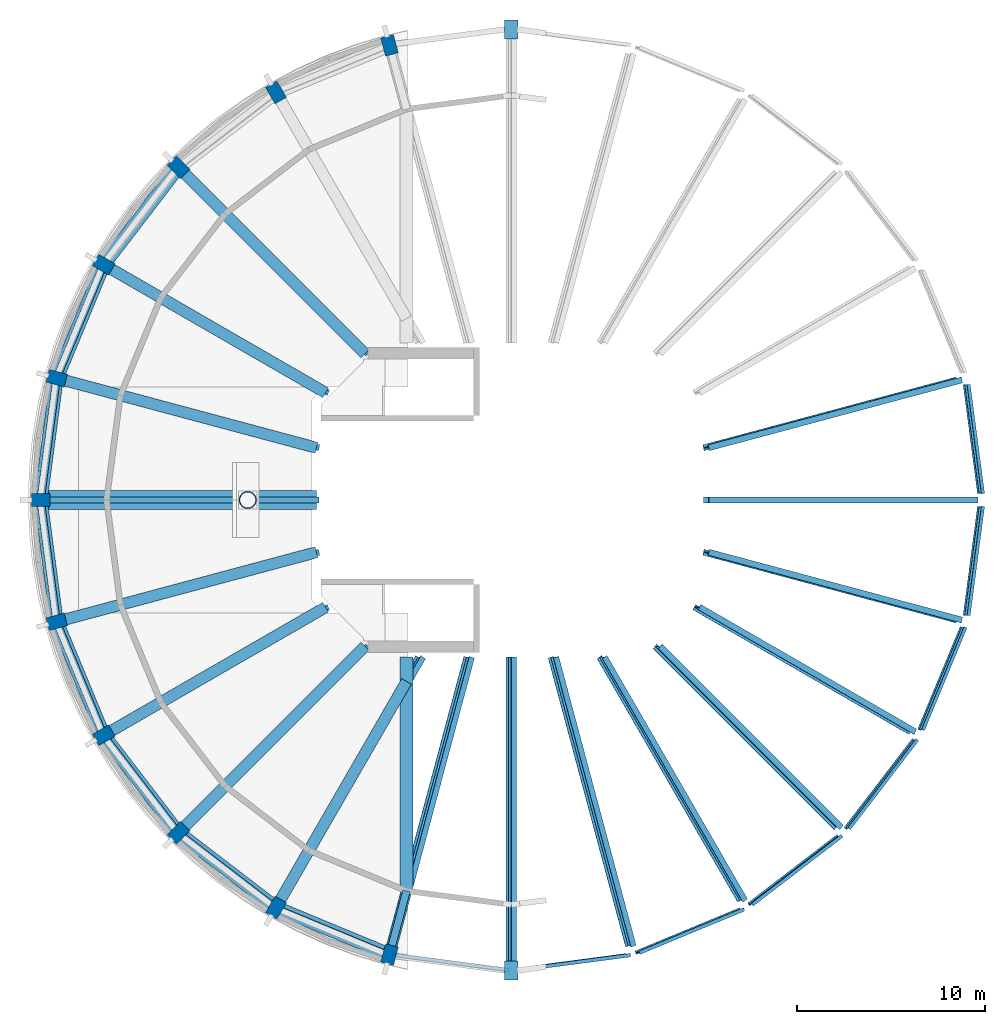
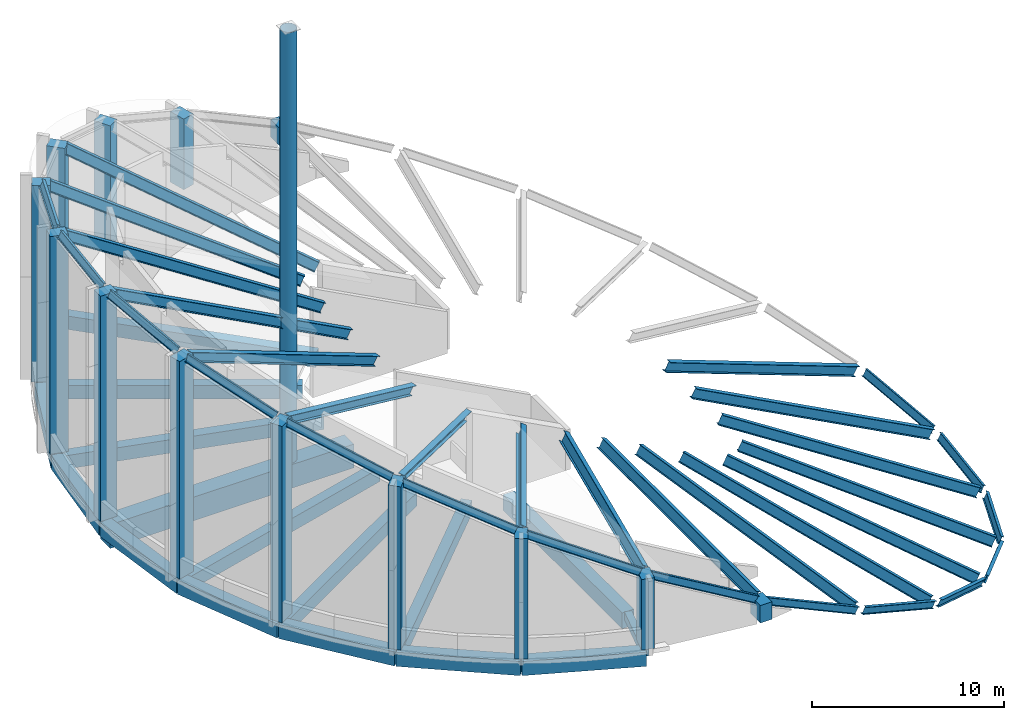
# One storey, part 1 of 4: 33 beams, 17 members, 14 columns.
"""IFC4 building model written with IfcOpenShell, lengths in metres."""

from ifc_helpers import new_model, si_unit, direction, frame, origin, origin_2d, place, context, subcontext, project, spatial, rectangle, hollow_circle, i_section, extrude, material, material_profile, profile_set, type_object, element, save


model = new_model("IFC4")

# Units and contexts
model_context = context("Model", 3, precision=1e-05, world=origin(), true_north=direction((0.0, 1.0)))
body_context = subcontext(model_context, "Body", "Model", "MODEL_VIEW")
ifc_project = project(units=[si_unit("LENGTHUNIT", "METRE"), si_unit("AREAUNIT", "SQUARE_METRE"), si_unit("VOLUMEUNIT", "CUBIC_METRE"), si_unit("PLANEANGLEUNIT", "RADIAN"), si_unit("MASSUNIT", "GRAM", prefix="KILO")], contexts=[model_context])

# Site, building, storey
site_placement = place(None, origin())
site = spatial("IfcSite", under=ifc_project, at=site_placement, CompositionType="ELEMENT")
building_placement = place(site_placement, origin())
building = spatial("IfcBuilding", under=site, at=building_placement, Name="Torre Triforio", CompositionType="ELEMENT")
storey_placement = place(building_placement, frame((0.0, 0.0, 302.800048828125)))
storey = spatial("IfcBuildingStorey", under=building, at=storey_placement, Name="RF-3", CompositionType="ELEMENT", Elevation=302.800048828125)

# Columns
ifc_material_1 = material(Name="Steel ASTM A572 Gr 50", Category="steel")
ifc_material_profile_1 = material_profile(ifc_material_1, hollow_circle(Radius=0.449951171875, WallThickness=0.02490234375, at=origin_2d()), Name="CHS 900x25")
ifc_profile_set_1 = profile_set([ifc_material_profile_1], Name="Steel ASTM A572 Gr 50")
column_type_1 = type_object("IfcColumnType", Name="Mast CHS 900x25", PredefinedType="COLUMN", material=ifc_profile_set_1)
column_1_placement = place(storey_placement, frame((-14.0, 0.0, -0.22998046875), z_axis=(0.0, 0.0, 1.0), x_axis=(1.0, 0.0, 0.0)))
element("IfcColumn", 1, at=column_1_placement, inside=storey, type_object=column_type_1, Name="MAST", PredefinedType="COLUMN", context=body_context, shape_type="SweptSolid", body=[
    extrude(hollow_circle(Radius=0.449951171875, WallThickness=0.02490234375, at=origin_2d()), origin(), (0.0, 0.0, 1.0), 27.39990234375),
])
ifc_material_2 = material(Name="Concrete C40", Category="concrete")
ifc_material_profile_2 = material_profile(ifc_material_2, rectangle(XDim=0.699951171875, YDim=1.0, at=origin_2d()), Name="RC 700x1000")
ifc_profile_set_2 = profile_set([ifc_material_profile_2], Name="Concrete C40")
column_type_2 = type_object("IfcColumnType", Name="Pier RC 700x1000 C40", PredefinedType="COLUMN", material=ifc_profile_set_2)
column_2_placement = place(storey_placement, frame((0.0, 25.0, 0.0), z_axis=(0.0, 0.0, 1.0), x_axis=(-1.0, 0.0, 0.0)))
element("IfcColumn", 2, at=column_2_placement, inside=storey, type_object=column_type_2, Name="COL.R.RF-3.06", PredefinedType="COLUMN", context=body_context, shape_type="SweptSolid", body=[
    extrude(rectangle(XDim=0.699951171875, YDim=1.0, at=origin_2d()), origin(), (0.0, 0.0, 1.0), 1.11376953125),
])
column_3_placement = place(storey_placement, frame((-6.470458984375, 24.148193359375, 0.0), z_axis=(0.0, 0.0, 1.0), x_axis=(-0.965925826289, -0.258819045103, 0.0)))
element("IfcColumn", 3, at=column_3_placement, inside=storey, type_object=column_type_2, Name="COL.R.RF-3.07", PredefinedType="COLUMN", context=body_context, shape_type="SweptSolid", body=[
    extrude(rectangle(XDim=0.699951171875, YDim=1.0, at=origin_2d()), origin(), (0.0, 0.0, 1.0), 4.491943359375),
])
column_4_placement = place(storey_placement, frame((-12.5, 21.650634765625, 0.0), z_axis=(0.0, 0.0, 1.0), x_axis=(-0.866025403784, -0.5, 0.0)))
element("IfcColumn", 4, at=column_4_placement, inside=storey, type_object=column_type_2, Name="COL.R.RF-3.08", PredefinedType="COLUMN", context=body_context, shape_type="SweptSolid", body=[
    extrude(rectangle(XDim=0.699951171875, YDim=1.0, at=origin_2d()), origin(), (0.0, 0.0, 1.0), 7.65234375),
])
column_5_placement = place(storey_placement, frame((-17.677734375, 17.677734375, 0.0), z_axis=(0.0, 0.0, 1.0), x_axis=(-0.707106781187, -0.707106781187, 0.0)))
element("IfcColumn", 5, at=column_5_placement, inside=storey, type_object=column_type_2, Name="COL.R.RF-3.09", PredefinedType="COLUMN", context=body_context, shape_type="SweptSolid", body=[
    extrude(rectangle(XDim=0.699951171875, YDim=1.0, at=origin_2d()), origin(), (0.0, 0.0, 1.0), 10.3798828125),
])
column_6_placement = place(storey_placement, frame((-21.650634765625, 12.5, 0.0), z_axis=(0.0, 0.0, 1.0), x_axis=(-0.5, -0.866025403784, 0.0)))
element("IfcColumn", 6, at=column_6_placement, inside=storey, type_object=column_type_2, Name="COL.R.RF-3.10", PredefinedType="COLUMN", context=body_context, shape_type="SweptSolid", body=[
    extrude(rectangle(XDim=0.699951171875, YDim=1.0, at=origin_2d()), origin(), (0.0, 0.0, 1.0), 12.488525390625),
])
column_7_placement = place(storey_placement, frame((-24.148193359375, 6.470458984375, 0.0), z_axis=(0.0, 0.0, 1.0), x_axis=(-0.258819045103, -0.965925826289, 0.0)))
element("IfcColumn", 7, at=column_7_placement, inside=storey, type_object=column_type_2, Name="COL.R.RF-3.11", PredefinedType="COLUMN", context=body_context, shape_type="SweptSolid", body=[
    extrude(rectangle(XDim=0.699951171875, YDim=1.0, at=origin_2d()), origin(), (0.0, 0.0, 1.0), 13.834716796875),
])
column_8_placement = place(storey_placement, frame((-25.0, 0.0, 0.0), z_axis=(0.0, 0.0, 1.0), x_axis=(0.0, -1.0, 0.0)))
element("IfcColumn", 8, at=column_8_placement, inside=storey, type_object=column_type_2, Name="COL.R.RF-3.12", PredefinedType="COLUMN", context=body_context, shape_type="SweptSolid", body=[
    extrude(rectangle(XDim=0.699951171875, YDim=1.0, at=origin_2d()), origin(), (0.0, 0.0, 1.0), 14.326904296875),
])
column_9_placement = place(storey_placement, frame((-24.148193359375, -6.470458984375, 0.0), z_axis=(0.0, 0.0, 1.0), x_axis=(0.258819045103, -0.965925826289, 0.0)))
element("IfcColumn", 9, at=column_9_placement, inside=storey, type_object=column_type_2, Name="COL.R.RF-3.13", PredefinedType="COLUMN", context=body_context, shape_type="SweptSolid", body=[
    extrude(rectangle(XDim=0.699951171875, YDim=1.0, at=origin_2d()), origin(), (0.0, 0.0, 1.0), 13.834716796875),
])
column_10_placement = place(storey_placement, frame((-21.650634765625, -12.5, 0.0), z_axis=(0.0, 0.0, 1.0), x_axis=(0.5, -0.866025403784, 0.0)))
element("IfcColumn", 10, at=column_10_placement, inside=storey, type_object=column_type_2, Name="COL.R.RF-3.14", PredefinedType="COLUMN", context=body_context, shape_type="SweptSolid", body=[
    extrude(rectangle(XDim=0.699951171875, YDim=1.0, at=origin_2d()), origin(), (0.0, 0.0, 1.0), 12.488525390625),
])
column_11_placement = place(storey_placement, frame((-17.677734375, -17.677734375, 0.0), z_axis=(0.0, 0.0, 1.0), x_axis=(0.707106781187, -0.707106781187, 0.0)))
element("IfcColumn", 11, at=column_11_placement, inside=storey, type_object=column_type_2, Name="COL.R.RF-3.15", PredefinedType="COLUMN", context=body_context, shape_type="SweptSolid", body=[
    extrude(rectangle(XDim=0.699951171875, YDim=1.0, at=origin_2d()), origin(), (0.0, 0.0, 1.0), 10.3798828125),
])
column_12_placement = place(storey_placement, frame((-12.5, -21.650634765625, 0.0), z_axis=(0.0, 0.0, 1.0), x_axis=(0.866025403784, -0.5, 0.0)))
element("IfcColumn", 12, at=column_12_placement, inside=storey, type_object=column_type_2, Name="COL.R.RF-3.16", PredefinedType="COLUMN", context=body_context, shape_type="SweptSolid", body=[
    extrude(rectangle(XDim=0.699951171875, YDim=1.0, at=origin_2d()), origin(), (0.0, 0.0, 1.0), 7.65234375),
])
column_13_placement = place(storey_placement, frame((-6.470458984375, -24.148193359375, 0.0), z_axis=(0.0, 0.0, 1.0), x_axis=(0.965925826289, -0.258819045103, 0.0)))
element("IfcColumn", 13, at=column_13_placement, inside=storey, type_object=column_type_2, Name="COL.R.RF-3.17", PredefinedType="COLUMN", context=body_context, shape_type="SweptSolid", body=[
    extrude(rectangle(XDim=0.699951171875, YDim=1.0, at=origin_2d()), origin(), (0.0, 0.0, 1.0), 4.491943359375),
])
column_14_placement = place(storey_placement, frame((0.0, -25.0, 0.0), z_axis=(0.0, 0.0, 1.0), x_axis=(1.0, 0.0, 0.0)))
element("IfcColumn", 14, at=column_14_placement, inside=storey, type_object=column_type_2, Name="COL.R.RF-3.18", PredefinedType="COLUMN", context=body_context, shape_type="SweptSolid", body=[
    extrude(rectangle(XDim=0.699951171875, YDim=1.0, at=origin_2d()), origin(), (0.0, 0.0, 1.0), 1.11376953125),
])

# Members
ifc_material_profile_3 = material_profile(ifc_material_1, i_section(OverallWidth=0.324951171875, OverallDepth=0.615966796875, WebThickness=0.013916015625, FlangeThickness=0.021484375, at=origin_2d()), Name="W 610x174")
ifc_profile_set_3 = profile_set([ifc_material_profile_3], Name="Steel ASTM A572 Gr 50")
member_type = type_object("IfcMemberType", Name="Crown rafter W 610x174", PredefinedType="RAFTER", material=ifc_profile_set_3)
member_1_placement = place(storey_placement, frame((10.35009765625, 0.0, -4.550048828125), z_axis=(0.882945012573, 0.0, -0.469476415566), x_axis=(0.0, 1.0, 0.0)))
element("IfcMember", 15, at=member_1_placement, inside=storey, type_object=member_type, Name="RF.00", PredefinedType="RAFTER", context=body_context, shape_type="SweptSolid", body=[
    extrude(i_section(OverallWidth=0.324951171875, OverallDepth=0.615966796875, WebThickness=0.013916015625, FlangeThickness=0.021484375, at=origin_2d()), origin(), (0.0, 0.0, 1.0), 16.189453125),
])
member_2_placement = place(storey_placement, frame((10.35009765625, 2.773193359375, -4.550048828125), z_axis=(0.859223480822, 0.230234648561, -0.456866519463), x_axis=(-0.203286621977, 0.973135143018, 0.108085811966)))
element("IfcMember", 16, at=member_2_placement, inside=storey, type_object=member_type, Name="RF.01", PredefinedType="RAFTER", context=body_context, shape_type="SweptSolid", body=[
    extrude(i_section(OverallWidth=0.324951171875, OverallDepth=0.615966796875, WebThickness=0.013916015625, FlangeThickness=0.021484375, at=origin_2d()), origin(), (0.0, 0.0, 1.0), 15.653564453125),
])
member_3_placement = place(storey_placement, frame((-7.77685546875, 7.77685546875, 5.088134765625), z_axis=(-0.661873856051, 0.661873856051, 0.35191760023), x_axis=(-0.584399929054, -0.749615233743, 0.310730951567)))
element("IfcMember", 17, at=member_3_placement, inside=storey, type_object=member_type, Name="RF.09", PredefinedType="RAFTER", context=body_context, shape_type="SweptSolid", body=[
    extrude(i_section(OverallWidth=0.324951171875, OverallDepth=0.615966796875, WebThickness=0.013916015625, FlangeThickness=0.021484375, at=origin_2d()), origin(), (0.0, 0.0, 1.0), 14.533935546875),
])
member_4_placement = place(storey_placement, frame((-9.860595703125, 5.693115234375, 6.196044921875), z_axis=(-0.786638993376, 0.454147797785, 0.418268898997), x_axis=(-0.400985257284, -0.890926359329, 0.213215960221)))
element("IfcMember", 18, at=member_4_placement, inside=storey, type_object=member_type, Name="RF.10", PredefinedType="RAFTER", context=body_context, shape_type="SweptSolid", body=[
    extrude(i_section(OverallWidth=0.324951171875, OverallDepth=0.615966796875, WebThickness=0.013916015625, FlangeThickness=0.021484375, at=origin_2d()), origin(), (0.0, 0.0, 1.0), 14.575439453125),
])
member_5_placement = place(storey_placement, frame((-10.35009765625, 2.773193359375, 6.456298828125), z_axis=(-0.859223480822, 0.230234648561, 0.456866519463), x_axis=(-0.203286621977, -0.973135143018, 0.108085811966)))
element("IfcMember", 19, at=member_5_placement, inside=storey, type_object=member_type, Name="RF.11", PredefinedType="RAFTER", context=body_context, shape_type="SweptSolid", body=[
    extrude(i_section(OverallWidth=0.324951171875, OverallDepth=0.615966796875, WebThickness=0.013916015625, FlangeThickness=0.021484375, at=origin_2d()), origin(), (0.0, 0.0, 1.0), 15.653564453125),
])
member_6_placement = place(storey_placement, frame((-10.35009765625, 0.0, 6.456298828125), z_axis=(-0.882945012573, 0.0, 0.469476415566), x_axis=(0.0, -1.0, 0.0)))
element("IfcMember", 20, at=member_6_placement, inside=storey, type_object=member_type, Name="RF.12", PredefinedType="RAFTER", context=body_context, shape_type="SweptSolid", body=[
    extrude(i_section(OverallWidth=0.324951171875, OverallDepth=0.615966796875, WebThickness=0.013916015625, FlangeThickness=0.021484375, at=origin_2d()), origin(), (0.0, 0.0, 1.0), 16.189453125),
])
member_7_placement = place(storey_placement, frame((-10.35009765625, -2.773193359375, 6.456298828125), z_axis=(-0.859223480822, -0.230234648561, 0.456866519463), x_axis=(0.203286621977, -0.973135143018, -0.108085811966)))
element("IfcMember", 21, at=member_7_placement, inside=storey, type_object=member_type, Name="RF.13", PredefinedType="RAFTER", context=body_context, shape_type="SweptSolid", body=[
    extrude(i_section(OverallWidth=0.324951171875, OverallDepth=0.615966796875, WebThickness=0.013916015625, FlangeThickness=0.021484375, at=origin_2d()), origin(), (0.0, 0.0, 1.0), 15.653564453125),
])
member_8_placement = place(storey_placement, frame((-9.860595703125, -5.693115234375, 6.196044921875), z_axis=(-0.786638993376, -0.454147797785, 0.418268898997), x_axis=(0.400985257284, -0.890926359329, -0.213215960221)))
element("IfcMember", 22, at=member_8_placement, inside=storey, type_object=member_type, Name="RF.14", PredefinedType="RAFTER", context=body_context, shape_type="SweptSolid", body=[
    extrude(i_section(OverallWidth=0.324951171875, OverallDepth=0.615966796875, WebThickness=0.013916015625, FlangeThickness=0.021484375, at=origin_2d()), origin(), (0.0, 0.0, 1.0), 14.575439453125),
])
member_9_placement = place(storey_placement, frame((-7.77685546875, -7.77685546875, 5.088134765625), z_axis=(-0.661873856051, -0.661873856051, 0.35191760023), x_axis=(0.584399929054, -0.749615233743, -0.310730951567)))
element("IfcMember", 23, at=member_9_placement, inside=storey, type_object=member_type, Name="RF.15", PredefinedType="RAFTER", context=body_context, shape_type="SweptSolid", body=[
    extrude(i_section(OverallWidth=0.324951171875, OverallDepth=0.615966796875, WebThickness=0.013916015625, FlangeThickness=0.021484375, at=origin_2d()), origin(), (0.0, 0.0, 1.0), 14.533935546875),
])
member_10_placement = place(storey_placement, frame((-4.82080078125, -8.35009765625, 3.516357421875), z_axis=(-0.483218399046, -0.83694855289, 0.256937927598), x_axis=(0.73898106579, -0.547281572685, -0.392924756924)))
element("IfcMember", 24, at=member_10_placement, inside=storey, type_object=member_type, Name="RF.16", PredefinedType="RAFTER", context=body_context, shape_type="SweptSolid", body=[
    extrude(i_section(OverallWidth=0.324951171875, OverallDepth=0.615966796875, WebThickness=0.013916015625, FlangeThickness=0.021484375, at=origin_2d()), origin(), (0.0, 0.0, 1.0), 15.44921875),
])
member_11_placement = place(storey_placement, frame((-2.2373046875, -8.35009765625, 2.142822265625), z_axis=(-0.256411606101, -0.956905773636, 0.136324717636), x_axis=(0.844897058708, -0.290398588625, -0.449241160081)))
element("IfcMember", 25, at=member_11_placement, inside=storey, type_object=member_type, Name="RF.17", PredefinedType="RAFTER", context=body_context, shape_type="SweptSolid", body=[
    extrude(i_section(OverallWidth=0.324951171875, OverallDepth=0.615966796875, WebThickness=0.013916015625, FlangeThickness=0.021484375, at=origin_2d()), origin(), (0.0, 0.0, 1.0), 16.042724609375),
])
member_12_placement = place(storey_placement, frame((0.0, -8.35009765625, 0.953125), z_axis=(0.0, -1.0, 0.0), x_axis=(0.882947592859, 0.0, -0.469471562786)))
element("IfcMember", 26, at=member_12_placement, inside=storey, type_object=member_type, Name="RF.18", PredefinedType="RAFTER", context=body_context, shape_type="SweptSolid", body=[
    extrude(i_section(OverallWidth=0.324951171875, OverallDepth=0.615966796875, WebThickness=0.013916015625, FlangeThickness=0.021484375, at=origin_2d()), origin(), (0.0, 0.0, 1.0), 16.14990234375),
])
member_13_placement = place(storey_placement, frame((2.2373046875, -8.35009765625, -0.236572265625), z_axis=(0.256411606101, -0.956905773636, -0.136324717636), x_axis=(0.844897058708, 0.290398588625, -0.449241160081)))
element("IfcMember", 27, at=member_13_placement, inside=storey, type_object=member_type, Name="RF.19", PredefinedType="RAFTER", context=body_context, shape_type="SweptSolid", body=[
    extrude(i_section(OverallWidth=0.324951171875, OverallDepth=0.615966796875, WebThickness=0.013916015625, FlangeThickness=0.021484375, at=origin_2d()), origin(), (0.0, 0.0, 1.0), 16.042724609375),
])
member_14_placement = place(storey_placement, frame((4.82080078125, -8.35009765625, -1.610107421875), z_axis=(0.483218399046, -0.83694855289, -0.256937927598), x_axis=(0.73898106579, 0.547281572685, -0.392924756924)))
element("IfcMember", 28, at=member_14_placement, inside=storey, type_object=member_type, Name="RF.20", PredefinedType="RAFTER", context=body_context, shape_type="SweptSolid", body=[
    extrude(i_section(OverallWidth=0.324951171875, OverallDepth=0.615966796875, WebThickness=0.013916015625, FlangeThickness=0.021484375, at=origin_2d()), origin(), (0.0, 0.0, 1.0), 15.44921875),
])
member_15_placement = place(storey_placement, frame((7.77685546875, -7.77685546875, -3.181884765625), z_axis=(0.661873856051, -0.661873856051, -0.35191760023), x_axis=(0.584399929054, 0.749615233743, -0.310730951567)))
element("IfcMember", 29, at=member_15_placement, inside=storey, type_object=member_type, Name="RF.21", PredefinedType="RAFTER", context=body_context, shape_type="SweptSolid", body=[
    extrude(i_section(OverallWidth=0.324951171875, OverallDepth=0.615966796875, WebThickness=0.013916015625, FlangeThickness=0.021484375, at=origin_2d()), origin(), (0.0, 0.0, 1.0), 14.533935546875),
])
member_16_placement = place(storey_placement, frame((9.860595703125, -5.693115234375, -4.289794921875), z_axis=(0.786638993376, -0.454147797785, -0.418268898997), x_axis=(0.400985257284, 0.890926359329, -0.213215960221)))
element("IfcMember", 30, at=member_16_placement, inside=storey, type_object=member_type, Name="RF.22", PredefinedType="RAFTER", context=body_context, shape_type="SweptSolid", body=[
    extrude(i_section(OverallWidth=0.324951171875, OverallDepth=0.615966796875, WebThickness=0.013916015625, FlangeThickness=0.021484375, at=origin_2d()), origin(), (0.0, 0.0, 1.0), 14.575439453125),
])
member_17_placement = place(storey_placement, frame((10.35009765625, -2.773193359375, -4.550048828125), z_axis=(0.859223480822, -0.230234648561, -0.456866519463), x_axis=(0.203286621977, 0.973135143018, -0.108085811966)))
element("IfcMember", 31, at=member_17_placement, inside=storey, type_object=member_type, Name="RF.23", PredefinedType="RAFTER", context=body_context, shape_type="SweptSolid", body=[
    extrude(i_section(OverallWidth=0.324951171875, OverallDepth=0.615966796875, WebThickness=0.013916015625, FlangeThickness=0.021484375, at=origin_2d()), origin(), (0.0, 0.0, 1.0), 15.653564453125),
])

# Beams
ifc_material_profile_4 = material_profile(ifc_material_1, i_section(OverallWidth=0.18994140625, OverallDepth=0.45703125, WebThickness=0.009033203125, FlangeThickness=0.014404296875, at=origin_2d()), Name="W 460x74")
ifc_profile_set_4 = profile_set([ifc_material_profile_4], Name="Steel ASTM A572 Gr 50")
beam_type_1 = type_object("IfcBeamType", Name="Crown ring beam W 460x74", PredefinedType="BEAM", material=ifc_profile_set_4)
beam_1_placement = place(storey_placement, frame((24.955810546875, 0.336181640625, -12.22607421875), z_axis=(-0.130228523515, 0.989062105836, 0.069258085899), x_axis=(-0.873289485798, -0.147499663207, 0.464337510168)))
element("IfcBeam", 32, at=beam_1_placement, inside=storey, type_object=beam_type_1, Name="RB.00", PredefinedType="BEAM", context=body_context, shape_type="SweptSolid", body=[
    extrude(i_section(OverallWidth=0.18994140625, OverallDepth=0.45703125, WebThickness=0.009033203125, FlangeThickness=0.014404296875, at=origin_2d()), origin(), (0.0, 0.0, 1.0), 5.8623046875),
])
beam_2_placement = place(storey_placement, frame((-21.77001953125, 12.211669921875, 12.618408203125), z_axis=(-0.375015234536, -0.90531401463, 0.199424443787), x_axis=(0.799342905717, -0.424742904087, -0.425022804692)))
element("IfcBeam", 33, at=beam_2_placement, inside=storey, type_object=beam_type_1, Name="RB.10", PredefinedType="BEAM", context=body_context, shape_type="SweptSolid", body=[
    extrude(i_section(OverallWidth=0.18994140625, OverallDepth=0.45703125, WebThickness=0.009033203125, FlangeThickness=0.014404296875, at=origin_2d()), origin(), (0.0, 0.0, 1.0), 6.023193359375),
])
for number, where, z_axis, x_axis, name in (
    (34, (-24.1923828125, 6.13427734375, 13.906494140625), (-0.130228523515, -0.989062105836, 0.069258085899), (0.873289485798, -0.147499663207, -0.464337510168), "RB.11"),
    (35, (-24.955810546875, -0.336181640625, 14.3125), (0.130228523515, -0.989062105836, -0.069258085899), (0.873289485798, 0.147499663207, -0.464337510168), "RB.12"),
):
    element("IfcBeam", number, at=place(storey_placement, frame(where, z_axis=z_axis, x_axis=x_axis)), inside=storey, type_object=beam_type_1, Name=name, PredefinedType="BEAM", context=body_context, shape_type="SweptSolid", body=[
        extrude(i_section(OverallWidth=0.18994140625, OverallDepth=0.45703125, WebThickness=0.009033203125, FlangeThickness=0.014404296875, at=origin_2d()), origin(), (0.0, 0.0, 1.0), 5.8623046875),
    ])
beam_3_placement = place(storey_placement, frame((-24.02880859375, -6.7587890625, 13.819580078125), z_axis=(0.375015234536, -0.90531401463, -0.199424443787), x_axis=(0.799342905717, 0.424742904087, -0.425022804692)))
element("IfcBeam", 36, at=beam_3_placement, inside=storey, type_object=beam_type_1, Name="RB.13", PredefinedType="BEAM", context=body_context, shape_type="SweptSolid", body=[
    extrude(i_section(OverallWidth=0.18994140625, OverallDepth=0.45703125, WebThickness=0.009033203125, FlangeThickness=0.014404296875, at=origin_2d()), origin(), (0.0, 0.0, 1.0), 6.023193359375),
])
beam_4_placement = place(storey_placement, frame((-21.4755859375, -12.728271484375, 12.4619140625), z_axis=(0.579186294035, -0.754788365392, -0.30795740009), x_axis=(0.666436523283, 0.655968386017, -0.354355523423)))
element("IfcBeam", 37, at=beam_4_placement, inside=storey, type_object=beam_type_1, Name="RB.14", PredefinedType="BEAM", context=body_context, shape_type="SweptSolid", body=[
    extrude(i_section(OverallWidth=0.18994140625, OverallDepth=0.45703125, WebThickness=0.009033203125, FlangeThickness=0.014404296875, at=origin_2d()), origin(), (0.0, 0.0, 1.0), 6.2548828125),
])
beam_5_placement = place(storey_placement, frame((-17.465087890625, -17.8408203125, 10.32958984375), z_axis=(0.730966993764, -0.560898694434, -0.388689990365), x_axis=(0.495245432116, 0.82788444503, -0.263323579737)))
element("IfcBeam", 38, at=beam_5_placement, inside=storey, type_object=beam_type_1, Name="RB.15", PredefinedType="BEAM", context=body_context, shape_type="SweptSolid", body=[
    extrude(i_section(OverallWidth=0.18994140625, OverallDepth=0.45703125, WebThickness=0.009033203125, FlangeThickness=0.014404296875, at=origin_2d()), origin(), (0.0, 0.0, 1.0), 6.50146484375),
])
beam_6_placement = place(storey_placement, frame((-12.265380859375, -21.747802734375, 7.56494140625), z_axis=(0.829222449876, -0.343485602289, -0.440916964566), x_axis=(0.303281993219, 0.939157942498, -0.161252570931)))
element("IfcBeam", 39, at=beam_6_placement, inside=storey, type_object=beam_type_1, Name="RB.16", PredefinedType="BEAM", context=body_context, shape_type="SweptSolid", body=[
    extrude(i_section(OverallWidth=0.18994140625, OverallDepth=0.45703125, WebThickness=0.009033203125, FlangeThickness=0.014404296875, at=origin_2d()), origin(), (0.0, 0.0, 1.0), 6.705322265625),
])
for number, where, z_axis, x_axis, name in (
    (40, (-6.225830078125, -24.180419921875, 4.353515625), (0.877048464587, -0.115452928621, -0.466322433557), (0.101935779668, 0.993312952302, -0.054207708051), "RB.17"),
    (41, (0.24462890625, -24.9677734375, 0.9130859375), (0.877048464587, 0.115452928621, -0.466322433557), (-0.101935779668, 0.993312952302, 0.054207708051), "RB.18"),
):
    element("IfcBeam", number, at=place(storey_placement, frame(where, z_axis=z_axis, x_axis=x_axis)), inside=storey, type_object=beam_type_1, Name=name, PredefinedType="BEAM", context=body_context, shape_type="SweptSolid", body=[
        extrude(i_section(OverallWidth=0.18994140625, OverallDepth=0.45703125, WebThickness=0.009033203125, FlangeThickness=0.014404296875, at=origin_2d()), origin(), (0.0, 0.0, 1.0), 6.819580078125),
    ])
beam_7_placement = place(storey_placement, frame((6.705078125, -24.051025390625, -2.52197265625), z_axis=(0.829222449876, 0.343485602289, -0.440916964566), x_axis=(-0.303281993219, 0.939157942498, 0.161252570931)))
element("IfcBeam", 42, at=beam_7_placement, inside=storey, type_object=beam_type_1, Name="RB.19", PredefinedType="BEAM", context=body_context, shape_type="SweptSolid", body=[
    extrude(i_section(OverallWidth=0.18994140625, OverallDepth=0.45703125, WebThickness=0.009033203125, FlangeThickness=0.014404296875, at=origin_2d()), origin(), (0.0, 0.0, 1.0), 6.705322265625),
])
beam_8_placement = place(storey_placement, frame((12.712646484375, -21.487548828125, -5.71630859375), z_axis=(0.730977662444, 0.560906880917, -0.388658111903), x_axis=(-0.495252660115, 0.827878898713, 0.263327423022)))
element("IfcBeam", 43, at=beam_8_placement, inside=storey, type_object=beam_type_1, Name="RB.20", PredefinedType="BEAM", context=body_context, shape_type="SweptSolid", body=[
    extrude(i_section(OverallWidth=0.18994140625, OverallDepth=0.45703125, WebThickness=0.009033203125, FlangeThickness=0.014404296875, at=origin_2d()), origin(), (0.0, 0.0, 1.0), 6.50146484375),
])
beam_9_placement = place(storey_placement, frame((17.852783203125, -17.449462890625, -8.44921875), z_axis=(0.579186294035, 0.754788365392, -0.30795740009), x_axis=(-0.666436523283, 0.655968386017, 0.354355523423)))
element("IfcBeam", 44, at=beam_9_placement, inside=storey, type_object=beam_type_1, Name="RB.21", PredefinedType="BEAM", context=body_context, shape_type="SweptSolid", body=[
    extrude(i_section(OverallWidth=0.18994140625, OverallDepth=0.45703125, WebThickness=0.009033203125, FlangeThickness=0.014404296875, at=origin_2d()), origin(), (0.0, 0.0, 1.0), 6.2548828125),
])
beam_10_placement = place(storey_placement, frame((21.77001953125, -12.211669921875, -10.5322265625), z_axis=(0.375018265646, 0.90532133195, -0.19938552191), x_axis=(-0.799349366419, 0.424727307483, 0.425026239994)))
element("IfcBeam", 45, at=beam_10_placement, inside=storey, type_object=beam_type_1, Name="RB.22", PredefinedType="BEAM", context=body_context, shape_type="SweptSolid", body=[
    extrude(i_section(OverallWidth=0.18994140625, OverallDepth=0.45703125, WebThickness=0.009033203125, FlangeThickness=0.014404296875, at=origin_2d()), origin(), (0.0, 0.0, 1.0), 6.023193359375),
])
beam_11_placement = place(storey_placement, frame((24.1923828125, -6.13427734375, -11.820068359375), z_axis=(0.130228523515, 0.989062105836, -0.069258085899), x_axis=(-0.873289485798, 0.147499663207, 0.464337510168)))
element("IfcBeam", 46, at=beam_11_placement, inside=storey, type_object=beam_type_1, Name="RB.23", PredefinedType="BEAM", context=body_context, shape_type="SweptSolid", body=[
    extrude(i_section(OverallWidth=0.18994140625, OverallDepth=0.45703125, WebThickness=0.009033203125, FlangeThickness=0.014404296875, at=origin_2d()), origin(), (0.0, 0.0, 1.0), 5.8623046875),
])
ifc_material_profile_5 = material_profile(ifc_material_2, rectangle(XDim=0.699951171875, YDim=1.0, at=origin_2d()), Name="RC 700x1000")
ifc_profile_set_5 = profile_set([ifc_material_profile_5], Name="Concrete C40")
beam_type_2 = type_object("IfcBeamType", Name="Edge beam RC 700x1000 C40", PredefinedType="BEAM", material=ifc_profile_set_5)
beam_12_placement = place(storey_placement, frame((-5.564697265625, -20.767333984375, -0.780029296875), z_axis=(0.0, 1.0, 0.0), x_axis=(-1.0, 0.0, 0.0)))
element("IfcBeam", 47, at=beam_12_placement, inside=storey, type_object=beam_type_2, Name="BM.E.RF-3.1", PredefinedType="BEAM", context=body_context, shape_type="SweptSolid", body=[
    extrude(rectangle(XDim=0.699951171875, YDim=1.0, at=origin_2d()), origin(), (0.0, 0.0, 1.0), 12.417236328125),
])
ifc_material_profile_6 = material_profile(ifc_material_2, rectangle(XDim=0.39990234375, YDim=0.5, at=origin_2d()), Name="RC 400x500")
ifc_profile_set_6 = profile_set([ifc_material_profile_6], Name="Concrete C40")
beam_type_3 = type_object("IfcBeamType", Name="Radial beam RC 400x500 C40", PredefinedType="BEAM", material=ifc_profile_set_6)
beam_13_placement = place(storey_placement, frame((-5.564697265625, -20.767333984375, -0.530029296875), z_axis=(-0.258782572899, -0.965935598249, 0.0), x_axis=(0.965935598249, -0.258782572899, 0.0)))
element("IfcBeam", 48, at=beam_13_placement, inside=storey, type_object=beam_type_3, Name="BM.R.RF-3.17", PredefinedType="BEAM", context=body_context, shape_type="SweptSolid", body=[
    extrude(rectangle(XDim=0.39990234375, YDim=0.5, at=origin_2d()), origin(), (0.0, 0.0, 1.0), 3.5),
])
ifc_material_profile_7 = material_profile(ifc_material_2, rectangle(XDim=0.60009765625, YDim=0.85009765625, at=origin_2d()), Name="RC 600x850")
ifc_profile_set_7 = profile_set([ifc_material_profile_7], Name="Concrete C40")
beam_type_4 = type_object("IfcBeamType", Name="Radial beam RC 600x850 C40", PredefinedType="BEAM", material=ifc_profile_set_7)
beam_14_placement = place(storey_placement, frame((-7.77685546875, 7.77685546875, -0.705078125), z_axis=(-0.707106781187, 0.707106781187, 0.0), x_axis=(-0.707106781187, -0.707106781187, 0.0)))
element("IfcBeam", 49, at=beam_14_placement, inside=storey, type_object=beam_type_4, Name="BM.R.RF-3.09", PredefinedType="BEAM", context=body_context, shape_type="SweptSolid", body=[
    extrude(rectangle(XDim=0.60009765625, YDim=0.85009765625, at=origin_2d()), origin(), (0.0, 0.0, 1.0), 14.001953125),
])
beam_15_placement = place(storey_placement, frame((-9.860595703125, 5.693115234375, -0.705078125), z_axis=(-0.866028503669, 0.499994630804, 0.0), x_axis=(-0.499994630804, -0.866028503669, 0.0)))
element("IfcBeam", 50, at=beam_15_placement, inside=storey, type_object=beam_type_4, Name="BM.R.RF-3.10", PredefinedType="BEAM", context=body_context, shape_type="SweptSolid", body=[
    extrude(rectangle(XDim=0.60009765625, YDim=0.85009765625, at=origin_2d()), origin(), (0.0, 0.0, 1.0), 13.614013671875),
])
for number, where, z_axis, x_axis, name in (
    (51, (-10.35009765625, 2.773193359375, -0.705078125), (-0.965924478271, 0.258824075923, 0.0), (-0.258824075923, -0.965924478271, 0.0), "BM.R.RF-3.11"),
    (52, (-10.35009765625, -2.773193359375, -0.705078125), (-0.965924478271, -0.258824075923, 0.0), (0.258824075923, -0.965924478271, 0.0), "BM.R.RF-3.13"),
):
    element("IfcBeam", number, at=place(storey_placement, frame(where, z_axis=z_axis, x_axis=x_axis)), inside=storey, type_object=beam_type_4, Name=name, PredefinedType="BEAM", context=body_context, shape_type="SweptSolid", body=[
        extrude(rectangle(XDim=0.60009765625, YDim=0.85009765625, at=origin_2d()), origin(), (0.0, 0.0, 1.0), 14.284912109375),
    ])
beam_16_placement = place(storey_placement, frame((-9.860595703125, -5.693115234375, -0.705078125), z_axis=(-0.866028503669, -0.499994630804, 0.0), x_axis=(0.499994630804, -0.866028503669, 0.0)))
element("IfcBeam", 53, at=beam_16_placement, inside=storey, type_object=beam_type_4, Name="BM.R.RF-3.14", PredefinedType="BEAM", context=body_context, shape_type="SweptSolid", body=[
    extrude(rectangle(XDim=0.60009765625, YDim=0.85009765625, at=origin_2d()), origin(), (0.0, 0.0, 1.0), 13.614013671875),
])
beam_17_placement = place(storey_placement, frame((-7.77685546875, -7.77685546875, -0.705078125), z_axis=(-0.707106781187, -0.707106781187, 0.0), x_axis=(0.707106781187, -0.707106781187, 0.0)))
element("IfcBeam", 54, at=beam_17_placement, inside=storey, type_object=beam_type_4, Name="BM.R.RF-3.15", PredefinedType="BEAM", context=body_context, shape_type="SweptSolid", body=[
    extrude(rectangle(XDim=0.60009765625, YDim=0.85009765625, at=origin_2d()), origin(), (0.0, 0.0, 1.0), 14.001953125),
])
beam_18_placement = place(storey_placement, frame((-5.564697265625, -9.63818359375, -0.705078125), z_axis=(-0.499995177791, -0.86602818787, 0.0), x_axis=(0.86602818787, -0.499995177791, 0.0)))
element("IfcBeam", 55, at=beam_18_placement, inside=storey, type_object=beam_type_4, Name="BM.R.RF-3.16", PredefinedType="BEAM", context=body_context, shape_type="SweptSolid", body=[
    extrude(rectangle(XDim=0.60009765625, YDim=0.85009765625, at=origin_2d()), origin(), (0.0, 0.0, 1.0), 13.870849609375),
])
ifc_material_profile_8 = material_profile(ifc_material_2, rectangle(XDim=0.699951171875, YDim=0.89990234375, at=origin_2d()), Name="RC 700x900")
ifc_profile_set_8 = profile_set([ifc_material_profile_8], Name="Concrete C40")
beam_type_5 = type_object("IfcBeamType", Name="Spandrel beam RC 700x900 C40", PredefinedType="SPANDREL", material=ifc_profile_set_8)
for number, where, z_axis, x_axis, name in (
    (56, (-17.677734375, 17.677734375, -0.72998046875), (-0.608750344722, -0.793361845441, 0.0), (0.793361845441, -0.608750344722, 0.0), "BM.S.RF-3.09"),
    (57, (-21.650634765625, 12.5, -0.72998046875), (-0.382688785449, -0.923877315173, 0.0), (0.923877315173, -0.382688785449, 0.0), "BM.S.RF-3.10"),
    (58, (-24.148193359375, 6.470458984375, -0.72998046875), (-0.130519347444, -0.991445762482, 0.0), (0.991445762482, -0.130519347444, 0.0), "BM.S.RF-3.11"),
    (59, (-25.0, 0.0, -0.72998046875), (0.130519347444, -0.991445762482, 0.0), (0.991445762482, 0.130519347444, 0.0), "BM.S.RF-3.12"),
    (60, (-24.148193359375, -6.470458984375, -0.72998046875), (0.382688785449, -0.923877315173, 0.0), (0.923877315173, 0.382688785449, 0.0), "BM.S.RF-3.13"),
    (61, (-21.650634765625, -12.5, -0.72998046875), (0.608750344722, -0.793361845441, 0.0), (0.793361845441, 0.608750344722, 0.0), "BM.S.RF-3.14"),
    (62, (-17.677734375, -17.677734375, -0.72998046875), (0.793361845441, -0.608750344722, 0.0), (0.608750344722, 0.793361845441, 0.0), "BM.S.RF-3.15"),
    (63, (-12.5, -21.650634765625, -0.72998046875), (0.923877315173, -0.382688785449, 0.0), (0.382688785449, 0.923877315173, 0.0), "BM.S.RF-3.16"),
):
    element("IfcBeam", number, at=place(storey_placement, frame(where, z_axis=z_axis, x_axis=x_axis)), inside=storey, type_object=beam_type_5, Name=name, PredefinedType="SPANDREL", context=body_context, shape_type="SweptSolid", body=[
        extrude(rectangle(XDim=0.699951171875, YDim=0.89990234375, at=origin_2d()), origin(), (0.0, 0.0, 1.0), 6.5263671875),
    ])
ifc_material_profile_9 = material_profile(ifc_material_2, rectangle(XDim=1.0, YDim=1.5, at=origin_2d()), Name="RC 1000x1500")
ifc_profile_set_9 = profile_set([ifc_material_profile_9], Name="Concrete C40")
beam_type_6 = type_object("IfcBeamType", Name="Transfer girder RC 1000x1500 C40", PredefinedType="BEAM", material=ifc_profile_set_9)
beam_19_placement = place(storey_placement, frame((-10.35009765625, 0.0, -1.030029296875), z_axis=(-1.0, 0.0, 0.0), x_axis=(0.0, -1.0, 0.0)))
element("IfcBeam", 64, at=beam_19_placement, inside=storey, type_object=beam_type_6, Name="BM.R.RF-3.12", PredefinedType="BEAM", context=body_context, shape_type="SweptSolid", body=[
    extrude(rectangle(XDim=1.0, YDim=1.5, at=origin_2d()), origin(), (0.0, 0.0, 1.0), 14.64990234375),
])

save(model, "model.ifc")
